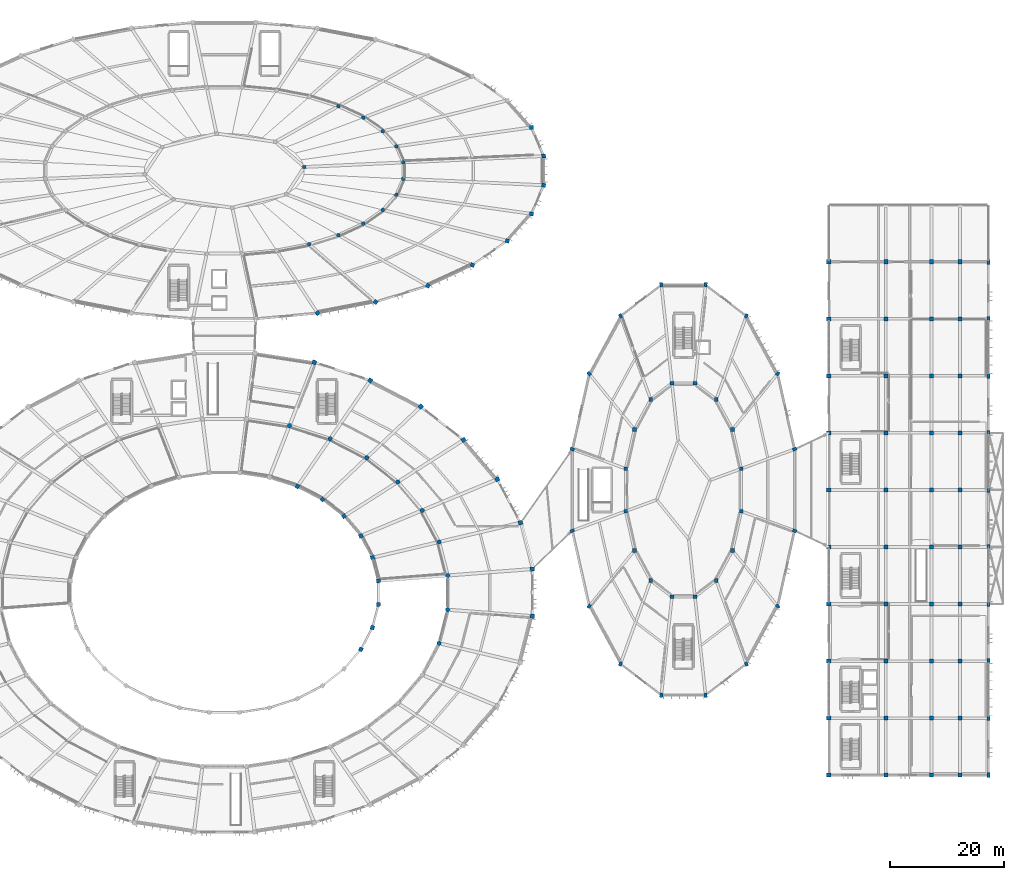
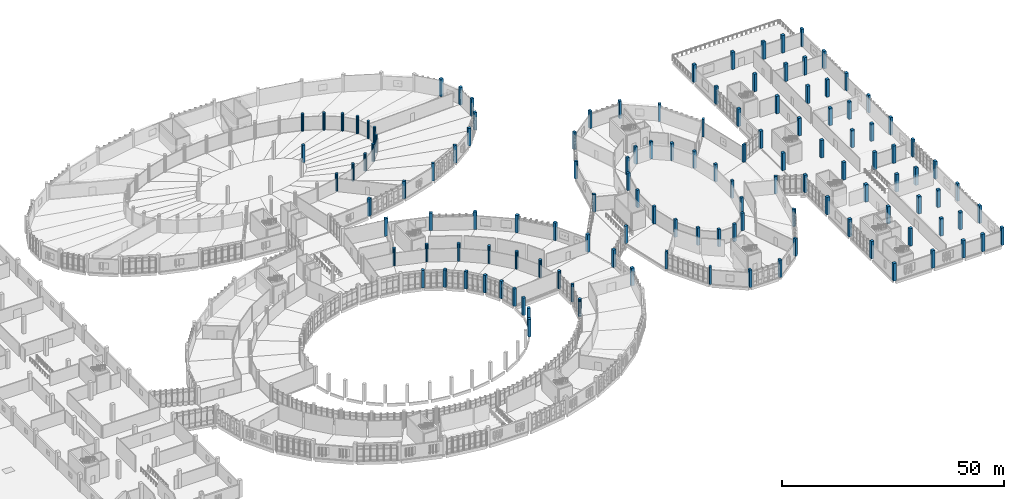
# One storey, part 2 of 179: 129 columns.
"""IFC4 building model written with IfcOpenShell, lengths in metres."""

from ifc_helpers import new_model, si_unit, direction, frame, origin, origin_2d, place, context, subcontext, project, spatial, rectangle, circle, extrude, material, material_profile, profile_set, type_object, element, save


model = new_model("IFC4")

# Units and contexts
model_context = context("Model", 3, precision=1e-05, world=origin(), true_north=direction((0.0, 1.0)))
body_context = subcontext(model_context, "Body", "Model", "MODEL_VIEW")
ifc_project = project(units=[si_unit("LENGTHUNIT", "METRE"), si_unit("AREAUNIT", "SQUARE_METRE"), si_unit("VOLUMEUNIT", "CUBIC_METRE"), si_unit("PLANEANGLEUNIT", "RADIAN"), si_unit("MASSUNIT", "GRAM", prefix="KILO")], contexts=[model_context])

# Site, building, storey
site_placement = place(None, origin())
site = spatial("IfcSite", under=ifc_project, at=site_placement, CompositionType="ELEMENT")
building_placement = place(site_placement, origin())
building = spatial("IfcBuilding", under=site, at=building_placement, Name="Corvandel Quay Wholesale Market", CompositionType="ELEMENT")
storey_placement = place(building_placement, frame((0.0, 0.0, 6.0)))
storey = spatial("IfcBuildingStorey", under=building, at=storey_placement, Name="L01", CompositionType="ELEMENT", Elevation=6.0)

# Columns
ifc_material = material(Name="Precast concrete C45/55", Category="concrete")
ifc_material_profile_1 = material_profile(ifc_material, circle(Radius=0.324951171875, at=origin_2d()), Name="PC-COL-D650")
ifc_profile_set_1 = profile_set([ifc_material_profile_1], Name="Precast concrete C45/55")
column_type_1 = type_object("IfcColumnType", Name="Circular Gallery Column C12 D650", PredefinedType="COLUMN", material=ifc_profile_set_1)
for number, where, z_axis, x_axis, name in (
    (1, (145.360107421875, 117.43408203125, 0.0), (0.0, 0.0, 1.0), (1.0, 0.0, 0.0), "Column COL-0324"),
    (2, (144.155029296875, 120.2470703125, 0.0), (0.0, 0.0, 1.0), (1.0, 0.0, 0.0), "Column COL-0330"),
    (3, (141.791015625, 122.89697265625, 0.0), (0.0, 0.0, 1.0), (1.0, 0.0, 0.0), "Column COL-0334"),
    (4, (138.35888671875, 125.281005859375, 0.0), (0.0, 0.0, 1.0), (1.0, 0.0, 0.0), "Column COL-0338"),
    (5, (133.990966796875, 127.30908203125, 0.0), (0.0, 0.0, 1.0), (1.0, 0.0, 0.0), "Column COL-0342"),
    (6, (128.85498046875, 103.096923828125, 0.0), (0.0, 0.0, 1.0), (1.0, 0.0, 0.0), "Column COL-0453"),
    (7, (133.990966796875, 104.69091796875, 0.0), (0.0, 0.0, 1.0), (1.0, 0.0, 0.0), "Column COL-0459"),
    (8, (138.35888671875, 106.718994140625, 0.0), (0.0, 0.0, 1.0), (1.0, 0.0, 0.0), "Column COL-0464"),
    (9, (141.791015625, 109.10302734375, 0.0), (0.0, 0.0, 1.0), (1.0, 0.0, 0.0), "Column COL-0470"),
    (10, (144.155029296875, 111.7529296875, 0.0), (0.0, 0.0, 1.0), (1.0, 0.0, 0.0), "Column COL-0474"),
    (11, (145.360107421875, 114.56591796875, 0.0), (0.0, 0.0, 1.0), (1.0, 0.0, 0.0), "Column COL-0478"),
):
    element("IfcColumn", number, at=place(storey_placement, frame(where, z_axis=z_axis, x_axis=x_axis)), inside=storey, type_object=column_type_1, Name=name, PredefinedType="COLUMN", context=body_context, shape_type="SweptSolid", body=[
        extrude(circle(Radius=0.324951171875, at=origin_2d()), origin(), (0.0, 0.0, 1.0), 4.800048828125),
    ])
ifc_material_profile_2 = material_profile(ifc_material, circle(Radius=0.375, at=origin_2d()), Name="PC-COL-D750")
ifc_profile_set_2 = profile_set([ifc_material_profile_2], Name="Precast concrete C45/55")
column_type_2 = type_object("IfcColumnType", Name="Circular Hall Column C11 D750", PredefinedType="COLUMN", material=ifc_profile_set_2)
for number, where, z_axis, x_axis, name in (
    (12, (153.14990234375, 44.9990234375, 0.0), (0.0, 0.0, 1.0), (1.0, 0.0, 0.0), "Column COL-0005"),
    (13, (151.64501953125, 50.882080078125, 0.0), (0.0, 0.0, 1.0), (1.0, 0.0, 0.0), "Column COL-0015"),
    (14, (148.694091796875, 56.423095703125, 0.0), (0.0, 0.0, 1.0), (1.0, 0.0, 0.0), "Column COL-0025"),
    (15, (144.409912109375, 61.410888671875, 0.0), (0.0, 0.0, 1.0), (1.0, 0.0, 0.0), "Column COL-0035"),
    (16, (138.95703125, 65.652099609375, 0.0), (0.0, 0.0, 1.0), (1.0, 0.0, 0.0), "Column COL-0045"),
    (17, (132.5439453125, 68.98388671875, 0.0), (0.0, 0.0, 1.0), (1.0, 0.0, 0.0), "Column COL-0055"),
    (18, (125.419921875, 71.280029296875, 0.0), (0.0, 0.0, 1.0), (1.0, 0.0, 0.0), "Column COL-0065"),
    (19, (151.64501953125, 33.117919921875, 0.0), (0.0, 0.0, 1.0), (1.0, 0.0, 0.0), "Column COL-0305"),
    (20, (153.14990234375, 39.0009765625, 0.0), (0.0, 0.0, 1.0), (1.0, 0.0, 0.0), "Column COL-0315"),
):
    element("IfcColumn", number, at=place(storey_placement, frame(where, z_axis=z_axis, x_axis=x_axis)), inside=storey, type_object=column_type_2, Name=name, PredefinedType="COLUMN", context=body_context, shape_type="SweptSolid", body=[
        extrude(circle(Radius=0.375, at=origin_2d()), origin(), (0.0, 0.0, 1.0), 4.800048828125),
    ])
ifc_material_profile_3 = material_profile(ifc_material, rectangle(XDim=0.60009765625, YDim=0.85009765625, at=origin_2d()), Name="PC-COL-600x850")
ifc_profile_set_3 = profile_set([ifc_material_profile_3], Name="Precast concrete C45/55")
column_type_3 = type_object("IfcColumnType", Name="Colonnade Pier C08 600x850", PredefinedType="COLUMN", material=ifc_profile_set_3)
for number, where, z_axis, x_axis, name in (
    (21, (248.0, 10.0, 0.0), (0.0, 0.0, 1.0), (1.0, 0.0, 0.0), "Column COL-0923"),
    (22, (248.0, 20.0, 0.0), (0.0, 0.0, 1.0), (1.0, 0.0, 0.0), "Column COL-0925"),
    (23, (248.0, 30.0, 0.0), (0.0, 0.0, 1.0), (1.0, 0.0, 0.0), "Column COL-0927"),
    (24, (248.0, 40.0, 0.0), (0.0, 0.0, 1.0), (1.0, 0.0, 0.0), "Column COL-0929"),
    (25, (248.0, 50.0, 0.0), (0.0, 0.0, 1.0), (1.0, 0.0, 0.0), "Column COL-0931"),
    (26, (248.0, 60.0, 0.0), (0.0, 0.0, 1.0), (1.0, 0.0, 0.0), "Column COL-0933"),
    (27, (248.0, 70.0, 0.0), (0.0, 0.0, 1.0), (1.0, 0.0, 0.0), "Column COL-0935"),
    (28, (248.0, 80.0, 0.0), (0.0, 0.0, 1.0), (1.0, 0.0, 0.0), "Column COL-0937"),
    (29, (248.0, 90.0, 0.0), (0.0, 0.0, 1.0), (1.0, 0.0, 0.0), "Column COL-0939"),
    (30, (248.0, 100.0, 0.0), (0.0, 0.0, 1.0), (1.0, 0.0, 0.0), "Column COL-0941"),
):
    element("IfcColumn", number, at=place(storey_placement, frame(where, z_axis=z_axis, x_axis=x_axis)), inside=storey, type_object=column_type_3, Name=name, PredefinedType="COLUMN", context=body_context, shape_type="SweptSolid", body=[
        extrude(rectangle(XDim=0.60009765625, YDim=0.85009765625, at=origin_2d()), origin(), (0.0, 0.0, 1.0), 4.800048828125),
    ])
ifc_material_profile_4 = material_profile(ifc_material, rectangle(XDim=0.550048828125, YDim=0.75, at=origin_2d()), Name="PC-COL-550x750")
ifc_profile_set_4 = profile_set([ifc_material_profile_4], Name="Precast concrete C45/55")
column_type_4 = type_object("IfcColumnType", Name="Pavilion Pier C09 550x750", PredefinedType="COLUMN", material=ifc_profile_set_4)
for number, where, z_axis, x_axis, name in (
    (31, (214.0, 67.160888671875, 0.0), (0.0, 0.0, 1.0), (-0.344642923175, 0.938733857654, 0.0), "Column COL-0480"),
    (32, (211.031005859375, 80.39208984375, 0.0), (0.0, 0.0, 1.0), (-0.776816343556, 0.629727217439, 0.0), "Column COL-0487"),
    (33, (205.5458984375, 90.51904296875, 0.0), (0.0, 0.0, 1.0), (-0.94028812701, 0.340379550213, 0.0), "Column COL-0493"),
    (34, (198.37890625, 96.0, 0.0), (0.0, 0.0, 1.0), (-0.994244832633, 0.107131754314, 0.0), "Column COL-0499"),
    (35, (190.62109375, 96.0, 0.0), (0.0, 0.0, 1.0), (0.994244832633, 0.107131754314, 0.0), "Column COL-0505"),
    (36, (183.4541015625, 90.51904296875, 0.0), (0.0, 0.0, 1.0), (0.94028812701, 0.340379550213, 0.0), "Column COL-0512"),
    (37, (177.968994140625, 80.39208984375, 0.0), (0.0, 0.0, 1.0), (0.776816343556, 0.629727217439, 0.0), "Column COL-0518"),
    (38, (175.0, 67.160888671875, 0.0), (0.0, 0.0, 1.0), (0.344642923175, 0.938733857654, 0.0), "Column COL-0524"),
    (39, (175.0, 52.839111328125, 0.0), (0.0, 0.0, 1.0), (-0.344642923175, 0.938733857654, 0.0), "Column COL-0530"),
    (40, (177.968994140625, 39.60791015625, 0.0), (0.0, 0.0, 1.0), (-0.776816343556, 0.629727217439, 0.0), "Column COL-0537"),
    (41, (183.4541015625, 29.48095703125, 0.0), (0.0, 0.0, 1.0), (-0.94028812701, 0.340379550213, 0.0), "Column COL-0543"),
    (42, (190.62109375, 24.0, 0.0), (0.0, 0.0, 1.0), (-0.994244832633, 0.107131754314, 0.0), "Column COL-0549"),
    (43, (198.37890625, 24.0, 0.0), (0.0, 0.0, 1.0), (0.994244832633, 0.107131754314, 0.0), "Column COL-0555"),
    (44, (205.5458984375, 29.48095703125, 0.0), (0.0, 0.0, 1.0), (0.94028812701, 0.340379550213, 0.0), "Column COL-0562"),
    (45, (211.031005859375, 39.60791015625, 0.0), (0.0, 0.0, 1.0), (0.776816343556, 0.629727217439, 0.0), "Column COL-0568"),
    (46, (214.0, 52.839111328125, 0.0), (0.0, 0.0, 1.0), (0.344642923175, 0.938733857654, 0.0), "Column COL-0574"),
):
    element("IfcColumn", number, at=place(storey_placement, frame(where, z_axis=z_axis, x_axis=x_axis)), inside=storey, type_object=column_type_4, Name=name, PredefinedType="COLUMN", context=body_context, shape_type="SweptSolid", body=[
        extrude(rectangle(XDim=0.550048828125, YDim=0.75, at=origin_2d()), origin(), (0.0, 0.0, 1.0), 4.800048828125),
    ])
ifc_material_profile_5 = material_profile(ifc_material, rectangle(XDim=0.75, YDim=0.75, at=origin_2d()), Name="PC-COL-750x750")
ifc_profile_set_5 = profile_set([ifc_material_profile_5], Name="Precast concrete C45/55")
column_type_5 = type_object("IfcColumnType", Name="Precast Column C03 750x750", PredefinedType="COLUMN", material=ifc_profile_set_5)
for number, where, z_axis, x_axis, name in (
    (47, (168.0, 46.136962890625, 0.0), (0.0, 0.0, 1.0), (-0.076370986393, 0.997079471475, 0.0), "Column COL-0002"),
    (48, (165.925048828125, 54.2509765625, 0.0), (0.0, 0.0, 1.0), (-0.229710019669, 0.973259115993, 0.0), "Column COL-0012"),
    (49, (161.85400390625, 61.89404296875, 0.0), (0.0, 0.0, 1.0), (-0.383811878264, 0.923411307113, 0.0), "Column COL-0022"),
    (50, (155.945068359375, 68.77294921875, 0.0), (0.0, 0.0, 1.0), (-0.538035401546, 0.842922242371, 0.0), "Column COL-0032"),
    (51, (148.423095703125, 74.6240234375, 0.0), (0.0, 0.0, 1.0), (-0.687848001144, 0.725854756355, 0.0), "Column COL-0042"),
    (52, (139.5791015625, 79.219970703125, 0.0), (0.0, 0.0, 1.0), (-0.824126188622, 0.566406236925, 0.0), "Column COL-0052"),
    (53, (129.7509765625, 82.385986328125, 0.0), (0.0, 0.0, 1.0), (-0.931627814096, 0.363413835735, 0.0), "Column COL-0062"),
    (54, (168.0, 37.863037109375, 0.0), (0.0, 0.0, 1.0), (0.076370986393, 0.997079471475, 0.0), "Column COL-0312"),
    (55, (220.0, 10.0, 0.0), (0.0, 0.0, 1.0), (1.0, 0.0, 0.0), "Column COL-0772"),
    (56, (220.0, 20.0, 0.0), (0.0, 0.0, 1.0), (1.0, 0.0, 0.0), "Column COL-0776"),
    (57, (220.0, 30.0, 0.0), (0.0, 0.0, 1.0), (1.0, 0.0, 0.0), "Column COL-0780"),
    (58, (220.0, 40.0, 0.0), (0.0, 0.0, 1.0), (1.0, 0.0, 0.0), "Column COL-0784"),
    (59, (220.0, 50.0, 0.0), (0.0, 0.0, 1.0), (1.0, 0.0, 0.0), "Column COL-0788"),
    (60, (220.0, 60.0, 0.0), (0.0, 0.0, 1.0), (1.0, 0.0, 0.0), "Column COL-0792"),
    (61, (220.0, 70.0, 0.0), (0.0, 0.0, 1.0), (1.0, 0.0, 0.0), "Column COL-0796"),
    (62, (220.0, 80.0, 0.0), (0.0, 0.0, 1.0), (1.0, 0.0, 0.0), "Column COL-0800"),
    (63, (220.0, 90.0, 0.0), (0.0, 0.0, 1.0), (1.0, 0.0, 0.0), "Column COL-0804"),
    (64, (220.0, 100.0, 0.0), (0.0, 0.0, 1.0), (1.0, 0.0, 0.0), "Column COL-0808"),
    (65, (230.0, 10.0, 0.0), (0.0, 0.0, 1.0), (1.0, 0.0, 0.0), "Column COL-0812"),
    (66, (230.0, 20.0, 0.0), (0.0, 0.0, 1.0), (1.0, 0.0, 0.0), "Column COL-0816"),
    (67, (230.0, 30.0, 0.0), (0.0, 0.0, 1.0), (1.0, 0.0, 0.0), "Column COL-0820"),
    (68, (230.0, 40.0, 0.0), (0.0, 0.0, 1.0), (1.0, 0.0, 0.0), "Column COL-0824"),
    (69, (230.0, 50.0, 0.0), (0.0, 0.0, 1.0), (1.0, 0.0, 0.0), "Column COL-0828"),
    (70, (230.0, 60.0, 0.0), (0.0, 0.0, 1.0), (1.0, 0.0, 0.0), "Column COL-0832"),
    (71, (230.0, 70.0, 0.0), (0.0, 0.0, 1.0), (1.0, 0.0, 0.0), "Column COL-0836"),
    (72, (230.0, 80.0, 0.0), (0.0, 0.0, 1.0), (1.0, 0.0, 0.0), "Column COL-0840"),
    (73, (230.0, 90.0, 0.0), (0.0, 0.0, 1.0), (1.0, 0.0, 0.0), "Column COL-0844"),
    (74, (230.0, 100.0, 0.0), (0.0, 0.0, 1.0), (1.0, 0.0, 0.0), "Column COL-0848"),
    (75, (238.0, 10.0, 0.0), (0.0, 0.0, 1.0), (1.0, 0.0, 0.0), "Column COL-0852"),
    (76, (238.0, 20.0, 0.0), (0.0, 0.0, 1.0), (1.0, 0.0, 0.0), "Column COL-0856"),
    (77, (238.0, 30.0, 0.0), (0.0, 0.0, 1.0), (1.0, 0.0, 0.0), "Column COL-0860"),
    (78, (238.0, 40.0, 0.0), (0.0, 0.0, 1.0), (1.0, 0.0, 0.0), "Column COL-0864"),
    (79, (238.0, 50.0, 0.0), (0.0, 0.0, 1.0), (1.0, 0.0, 0.0), "Column COL-0868"),
    (80, (238.0, 60.0, 0.0), (0.0, 0.0, 1.0), (1.0, 0.0, 0.0), "Column COL-0872"),
    (81, (238.0, 70.0, 0.0), (0.0, 0.0, 1.0), (1.0, 0.0, 0.0), "Column COL-0876"),
    (82, (238.0, 80.0, 0.0), (0.0, 0.0, 1.0), (1.0, 0.0, 0.0), "Column COL-0880"),
    (83, (238.0, 90.0, 0.0), (0.0, 0.0, 1.0), (1.0, 0.0, 0.0), "Column COL-0884"),
    (84, (238.0, 100.0, 0.0), (0.0, 0.0, 1.0), (1.0, 0.0, 0.0), "Column COL-0888"),
    (85, (243.0, 10.0, 0.0), (0.0, 0.0, 1.0), (1.0, 0.0, 0.0), "Column COL-0892"),
    (86, (243.0, 20.0, 0.0), (0.0, 0.0, 1.0), (1.0, 0.0, 0.0), "Column COL-0895"),
    (87, (243.0, 30.0, 0.0), (0.0, 0.0, 1.0), (1.0, 0.0, 0.0), "Column COL-0898"),
    (88, (243.0, 40.0, 0.0), (0.0, 0.0, 1.0), (1.0, 0.0, 0.0), "Column COL-0901"),
    (89, (243.0, 50.0, 0.0), (0.0, 0.0, 1.0), (1.0, 0.0, 0.0), "Column COL-0904"),
    (90, (243.0, 60.0, 0.0), (0.0, 0.0, 1.0), (1.0, 0.0, 0.0), "Column COL-0907"),
    (91, (243.0, 70.0, 0.0), (0.0, 0.0, 1.0), (1.0, 0.0, 0.0), "Column COL-0910"),
    (92, (243.0, 80.0, 0.0), (0.0, 0.0, 1.0), (1.0, 0.0, 0.0), "Column COL-0913"),
    (93, (243.0, 90.0, 0.0), (0.0, 0.0, 1.0), (1.0, 0.0, 0.0), "Column COL-0916"),
    (94, (243.0, 100.0, 0.0), (0.0, 0.0, 1.0), (1.0, 0.0, 0.0), "Column COL-0919"),
):
    element("IfcColumn", number, at=place(storey_placement, frame(where, z_axis=z_axis, x_axis=x_axis)), inside=storey, type_object=column_type_5, Name=name, PredefinedType="COLUMN", context=body_context, shape_type="SweptSolid", body=[
        extrude(rectangle(XDim=0.75, YDim=0.75, at=origin_2d()), origin(), (0.0, 0.0, 1.0), 4.800048828125),
    ])
ifc_material_profile_6 = material_profile(ifc_material, rectangle(XDim=0.699951171875, YDim=0.699951171875, at=origin_2d()), Name="PC-COL-700x700")
ifc_profile_set_6 = profile_set([ifc_material_profile_6], Name="Precast concrete C45/55")
column_type_6 = type_object("IfcColumnType", Name="Precast Column C04 700x700", PredefinedType="COLUMN", material=ifc_profile_set_6)
for number, where, z_axis, x_axis, name in (
    (95, (141.0, 44.068115234375, 0.0), (0.0, 0.0, 1.0), (-0.076370986393, 0.997079471475, 0.0), "Column COL-0009"),
    (96, (139.9619140625, 48.125, 0.0), (0.0, 0.0, 1.0), (-0.229710019669, 0.973259115993, 0.0), "Column COL-0019"),
    (97, (137.927001953125, 51.947021484375, 0.0), (0.0, 0.0, 1.0), (-0.383811878264, 0.923411307113, 0.0), "Column COL-0029"),
    (98, (134.971923828125, 55.386962890625, 0.0), (0.0, 0.0, 1.0), (-0.538035401546, 0.842922242371, 0.0), "Column COL-0039"),
    (99, (131.2109375, 58.31201171875, 0.0), (0.0, 0.0, 1.0), (-0.687848001144, 0.725854756355, 0.0), "Column COL-0049"),
    (100, (126.7890625, 60.610107421875, 0.0), (0.0, 0.0, 1.0), (-0.824126188622, 0.566406236925, 0.0), "Column COL-0059"),
    (101, (137.927001953125, 32.052978515625, 0.0), (0.0, 0.0, 1.0), (0.383811878264, 0.923411307113, 0.0), "Column COL-0299"),
    (102, (139.9619140625, 35.875, 0.0), (0.0, 0.0, 1.0), (0.229710019669, 0.973259115993, 0.0), "Column COL-0309"),
    (103, (141.0, 39.931884765625, 0.0), (0.0, 0.0, 1.0), (0.076370986393, 0.997079471475, 0.0), "Column COL-0319"),
    (104, (170.0, 118.56103515625, 0.0), (0.0, 0.0, 1.0), (-0.04571169187, 0.99895467426, 0.0), "Column COL-0322"),
    (105, (167.847900390625, 123.583984375, 0.0), (0.0, 0.0, 1.0), (-0.13951876124, 0.990219427835, 0.0), "Column COL-0328"),
    (106, (130.3349609375, 90.9990234375, 0.0), (0.0, 0.0, 1.0), (0.837146380758, 0.546978918409, 0.0), "Column COL-0444"),
    (107, (140.52587890625, 92.958984375, 0.0), (0.0, 0.0, 1.0), (0.655795545685, 0.754938542041, 0.0), "Column COL-0450"),
    (108, (149.697998046875, 95.803955078125, 0.0), (0.0, 0.0, 1.0), (0.492423560103, 0.87035569594, 0.0), "Column COL-0456"),
    (109, (157.498046875, 99.426025390625, 0.0), (0.0, 0.0, 1.0), (0.356085714679, 0.934453296747, 0.0), "Column COL-0462"),
    (110, (163.626953125, 103.68408203125, 0.0), (0.0, 0.0, 1.0), (0.240905671828, 0.970548534222, 0.0), "Column COL-0468"),
    (111, (167.847900390625, 108.416015625, 0.0), (0.0, 0.0, 1.0), (0.13951876124, 0.990219427835, 0.0), "Column COL-0472"),
    (112, (170.0, 113.43896484375, 0.0), (0.0, 0.0, 1.0), (0.04571169187, 0.99895467426, 0.0), "Column COL-0476"),
):
    element("IfcColumn", number, at=place(storey_placement, frame(where, z_axis=z_axis, x_axis=x_axis)), inside=storey, type_object=column_type_6, Name=name, PredefinedType="COLUMN", context=body_context, shape_type="SweptSolid", body=[
        extrude(rectangle(XDim=0.699951171875, YDim=0.699951171875, at=origin_2d()), origin(), (0.0, 0.0, 1.0), 4.800048828125),
    ])
ifc_material_profile_7 = material_profile(ifc_material, rectangle(XDim=0.64990234375, YDim=0.64990234375, at=origin_2d()), Name="PC-COL-650x650")
ifc_profile_set_7 = profile_set([ifc_material_profile_7], Name="Precast concrete C45/55")
column_type_7 = type_object("IfcColumnType", Name="Precast Column C05 650x650", PredefinedType="COLUMN", material=ifc_profile_set_7)
for number, where, z_axis, x_axis, name in (
    (113, (204.639892578125, 63.72412109375, 0.0), (0.0, 0.0, 1.0), (1.0, 0.0, 0.0), "Column COL-0483"),
    (114, (203.095947265625, 70.60400390625, 0.0), (0.0, 0.0, 1.0), (1.0, 0.0, 0.0), "Column COL-0490"),
    (115, (200.243896484375, 75.8701171875, 0.0), (0.0, 0.0, 1.0), (1.0, 0.0, 0.0), "Column COL-0496"),
    (116, (196.51708984375, 78.719970703125, 0.0), (0.0, 0.0, 1.0), (1.0, 0.0, 0.0), "Column COL-0502"),
    (117, (192.48291015625, 78.719970703125, 0.0), (0.0, 0.0, 1.0), (1.0, 0.0, 0.0), "Column COL-0508"),
    (118, (188.756103515625, 75.8701171875, 0.0), (0.0, 0.0, 1.0), (1.0, 0.0, 0.0), "Column COL-0515"),
    (119, (185.904052734375, 70.60400390625, 0.0), (0.0, 0.0, 1.0), (1.0, 0.0, 0.0), "Column COL-0521"),
    (120, (184.360107421875, 63.72412109375, 0.0), (0.0, 0.0, 1.0), (1.0, 0.0, 0.0), "Column COL-0527"),
    (121, (184.360107421875, 56.27587890625, 0.0), (0.0, 0.0, 1.0), (1.0, 0.0, 0.0), "Column COL-0533"),
    (122, (185.904052734375, 49.39599609375, 0.0), (0.0, 0.0, 1.0), (1.0, 0.0, 0.0), "Column COL-0540"),
    (123, (188.756103515625, 44.1298828125, 0.0), (0.0, 0.0, 1.0), (1.0, 0.0, 0.0), "Column COL-0546"),
    (124, (192.48291015625, 41.280029296875, 0.0), (0.0, 0.0, 1.0), (1.0, 0.0, 0.0), "Column COL-0552"),
    (125, (196.51708984375, 41.280029296875, 0.0), (0.0, 0.0, 1.0), (1.0, 0.0, 0.0), "Column COL-0558"),
    (126, (200.243896484375, 44.1298828125, 0.0), (0.0, 0.0, 1.0), (1.0, 0.0, 0.0), "Column COL-0565"),
    (127, (203.095947265625, 49.39599609375, 0.0), (0.0, 0.0, 1.0), (1.0, 0.0, 0.0), "Column COL-0571"),
    (128, (204.639892578125, 56.27587890625, 0.0), (0.0, 0.0, 1.0), (1.0, 0.0, 0.0), "Column COL-0577"),
):
    element("IfcColumn", number, at=place(storey_placement, frame(where, z_axis=z_axis, x_axis=x_axis)), inside=storey, type_object=column_type_7, Name=name, PredefinedType="COLUMN", context=body_context, shape_type="SweptSolid", body=[
        extrude(rectangle(XDim=0.64990234375, YDim=0.64990234375, at=origin_2d()), origin(), (0.0, 0.0, 1.0), 4.800048828125),
    ])
ifc_material_profile_8 = material_profile(ifc_material, rectangle(XDim=0.60009765625, YDim=0.60009765625, at=origin_2d()), Name="PC-COL-600x600")
ifc_profile_set_8 = profile_set([ifc_material_profile_8], Name="Precast concrete C45/55")
column_type_8 = type_object("IfcColumnType", Name="Precast Column C06 600x600", PredefinedType="COLUMN", material=ifc_profile_set_8)
column_placement = place(storey_placement, frame((128.0, 116.639892578125, 0.0), z_axis=(0.0, 0.0, 1.0), x_axis=(1.0, 0.0, 0.0)))
element("IfcColumn", 129, at=column_placement, inside=storey, type_object=column_type_8, Name="Column COL-0326", PredefinedType="COLUMN", context=body_context, shape_type="SweptSolid", body=[
    extrude(rectangle(XDim=0.60009765625, YDim=0.60009765625, at=origin_2d()), origin(), (0.0, 0.0, 1.0), 4.800048828125),
])

save(model, "model.ifc")
